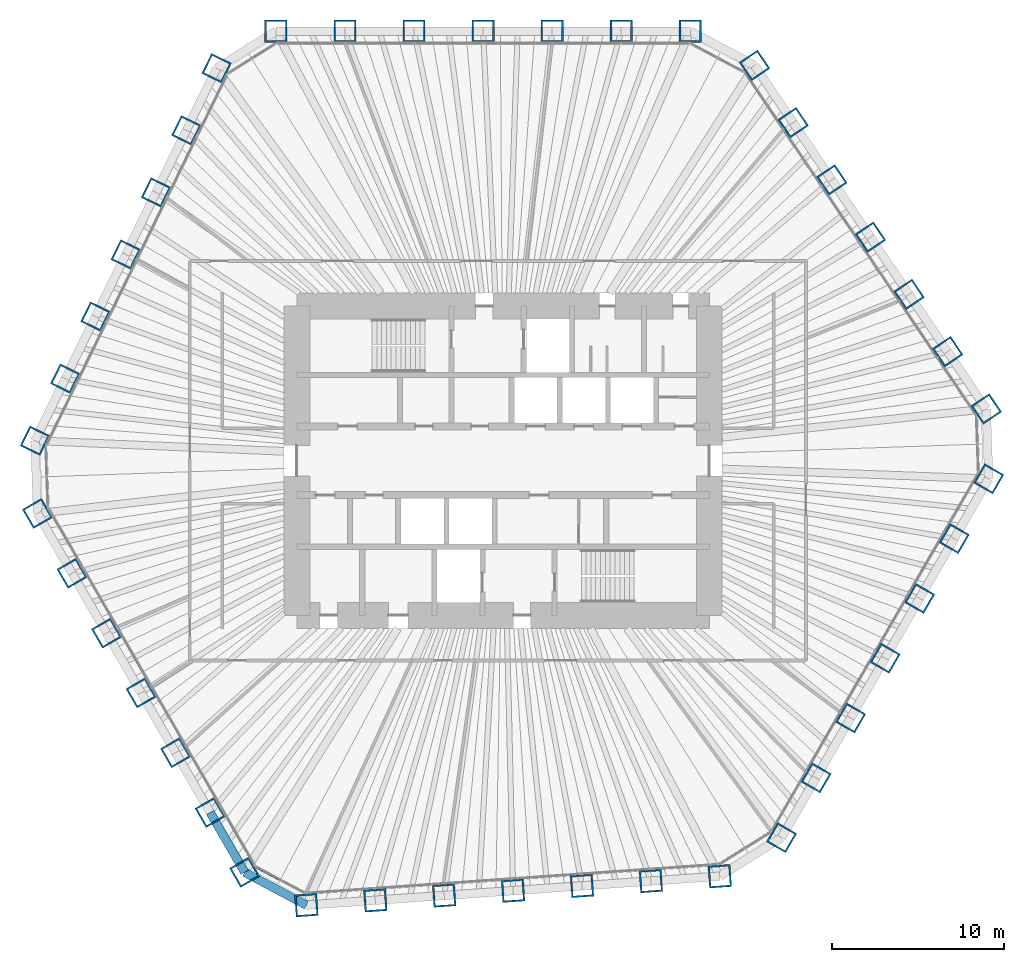
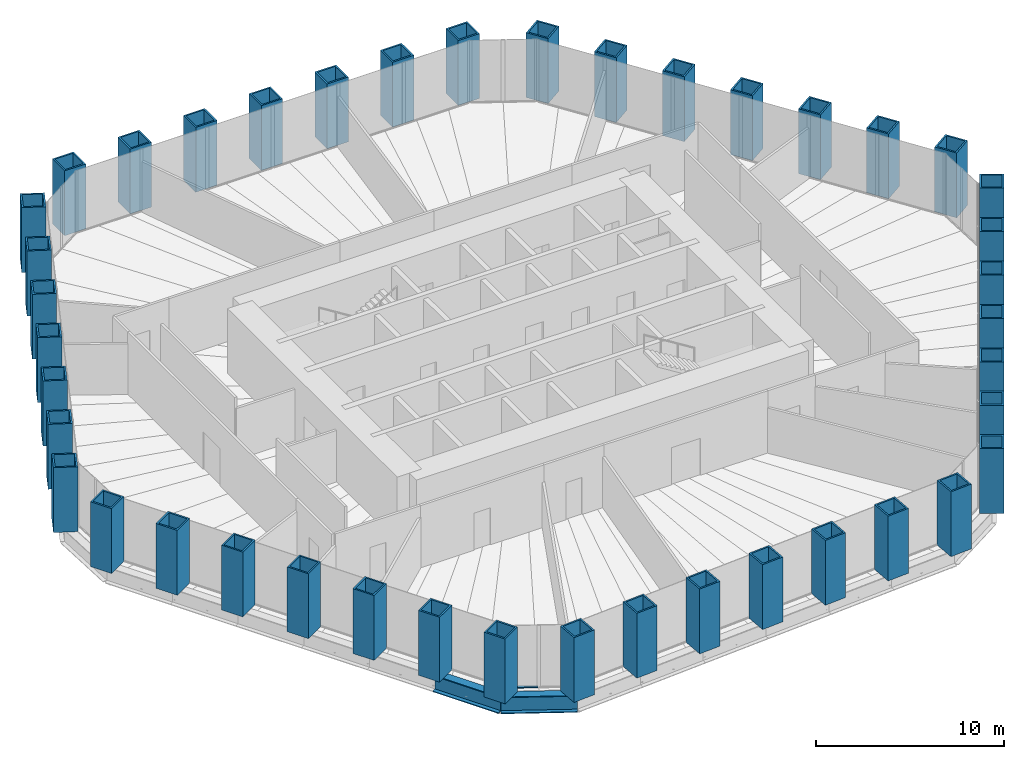
# One storey, part 1 of 13: 42 columns, 2 beams, 1 member, 1 element without a shape of its own.
"""IFC4 building model written with IfcOpenShell, lengths in metres."""

from ifc_helpers import new_model, si_unit, direction, frame, origin, origin_2d, place, context, subcontext, project, spatial, rectangle, hollow_rectangle, i_section, extrude, material, material_profile, profile_set, type_object, element, aggregate, save


model = new_model("IFC4")

# Units and contexts
model_context = context("Model", 3, precision=1e-05, world=origin(), true_north=direction((0.0, 1.0)))
body_context = subcontext(model_context, "Body", "Model", "MODEL_VIEW")
ifc_project = project(units=[si_unit("LENGTHUNIT", "METRE"), si_unit("AREAUNIT", "SQUARE_METRE"), si_unit("VOLUMEUNIT", "CUBIC_METRE"), si_unit("PLANEANGLEUNIT", "RADIAN"), si_unit("MASSUNIT", "GRAM", prefix="KILO")], contexts=[model_context])

# Site, building, storey
site_placement = place(None, origin())
site = spatial("IfcSite", under=ifc_project, at=site_placement, CompositionType="ELEMENT")
building_placement = place(site_placement, origin())
building = spatial("IfcBuilding", under=site, at=building_placement, Name="Qingtian Harvest Tower", CompositionType="ELEMENT")
storey_placement = place(building_placement, frame((0.0, 0.0, 161.800048828125)))
storey = spatial("IfcBuildingStorey", under=building, at=storey_placement, Name="L34", CompositionType="ELEMENT", Elevation=161.800048828125)

# Columns
ifc_material_1 = material(Name="Steel SM570MC", Category="steel")
ifc_material_profile_1 = material_profile(ifc_material_1, hollow_rectangle(XDim=1.300048828125, YDim=1.300048828125, WallThickness=0.10009765625, at=origin_2d()), Name="BOX1300x1300x100")
ifc_profile_set_1 = profile_set([ifc_material_profile_1], Name="Steel SM570MC")
column_type = type_object("IfcColumnType", Name="Tube column TC4 BOX1300x1300x100", PredefinedType="COLUMN", material=ifc_profile_set_1)
for number, where, z_axis, x_axis, name in (
    (1, (-13.2216796875, 25.0, 0.0), (0.0, 0.0, 1.0), (-1.0, 0.0, 0.0), "Tube column TC4 N0"),
    (2, (-9.20263671875, 25.0, 0.0), (0.0, 0.0, 1.0), (-1.0, 0.0, 0.0), "Tube column TC4 N1"),
    (3, (-5.18359375, 25.0, 0.0), (0.0, 0.0, 1.0), (-1.0, 0.0, 0.0), "Tube column TC4 N2"),
    (4, (-1.16455078125, 25.0, 0.0), (0.0, 0.0, 1.0), (-1.0, 0.0, 0.0), "Tube column TC4 N3"),
    (5, (2.8544921875, 25.0, 0.0), (0.0, 0.0, 1.0), (-1.0, 0.0, 0.0), "Tube column TC4 N4"),
    (6, (6.873779296875, 25.0, 0.0), (0.0, 0.0, 1.0), (-1.0, 0.0, 0.0), "Tube column TC4 N5"),
    (7, (10.892822265625, 25.0, 0.0), (0.0, 0.0, 1.0), (-1.0, 0.0, 0.0), "Tube column TC4 N6"),
    (8, (14.634765625, 23.01025390625, 0.0), (0.0, 0.0, 1.0), (-0.559192903471, 0.829037572555, 0.0), "Tube column TC4 NE0"),
    (9, (16.88232421875, 19.67822265625, 0.0), (0.0, 0.0, 1.0), (-0.559192903471, 0.829037572555, 0.0), "Tube column TC4 NE1"),
    (10, (19.129638671875, 16.346435546875, 0.0), (0.0, 0.0, 1.0), (-0.559192903471, 0.829037572555, 0.0), "Tube column TC4 NE2"),
    (11, (21.377197265625, 13.014404296875, 0.0), (0.0, 0.0, 1.0), (-0.559192903471, 0.829037572555, 0.0), "Tube column TC4 NE3"),
    (12, (23.62451171875, 9.682373046875, 0.0), (0.0, 0.0, 1.0), (-0.559192903471, 0.829037572555, 0.0), "Tube column TC4 NE4"),
    (13, (25.8720703125, 6.3505859375, 0.0), (0.0, 0.0, 1.0), (-0.559192903471, 0.829037572555, 0.0), "Tube column TC4 NE5"),
    (14, (28.119384765625, 3.0185546875, 0.0), (0.0, 0.0, 1.0), (-0.559192903471, 0.829037572555, 0.0), "Tube column TC4 NE6"),
    (15, (28.261474609375, -1.049560546875, 0.0), (0.0, 0.0, 1.0), (0.5, 0.866025403784, 0.0), "Tube column TC4 SE0"),
    (16, (26.251953125, -4.5302734375, 0.0), (0.0, 0.0, 1.0), (0.5, 0.866025403784, 0.0), "Tube column TC4 SE1"),
    (17, (24.242431640625, -8.010986328125, 0.0), (0.0, 0.0, 1.0), (0.5, 0.866025403784, 0.0), "Tube column TC4 SE2"),
    (18, (22.23291015625, -11.491455078125, 0.0), (0.0, 0.0, 1.0), (0.5, 0.866025403784, 0.0), "Tube column TC4 SE3"),
    (19, (20.223388671875, -14.97216796875, 0.0), (0.0, 0.0, 1.0), (0.5, 0.866025403784, 0.0), "Tube column TC4 SE4"),
    (20, (18.2138671875, -18.452880859375, 0.0), (0.0, 0.0, 1.0), (0.5, 0.866025403784, 0.0), "Tube column TC4 SE5"),
    (21, (16.204345703125, -21.933349609375, 0.0), (0.0, 0.0, 1.0), (0.5, 0.866025403784, 0.0), "Tube column TC4 SE6"),
    (22, (12.610107421875, -24.17919921875, 0.0), (0.0, 0.0, 1.0), (0.99756405026, 0.069756473744, 0.0), "Tube column TC4 S0"),
    (23, (8.600830078125, -24.459716796875, 0.0), (0.0, 0.0, 1.0), (0.99756405026, 0.069756473744, 0.0), "Tube column TC4 S1"),
    (24, (4.591552734375, -24.739990234375, 0.0), (0.0, 0.0, 1.0), (0.99756405026, 0.069756473744, 0.0), "Tube column TC4 S2"),
    (25, (0.582275390625, -25.020263671875, 0.0), (0.0, 0.0, 1.0), (0.99756405026, 0.069756473744, 0.0), "Tube column TC4 S3"),
    (26, (-3.427001953125, -25.30078125, 0.0), (0.0, 0.0, 1.0), (0.99756405026, 0.069756473744, 0.0), "Tube column TC4 S4"),
    (27, (-7.436279296875, -25.5810546875, 0.0), (0.0, 0.0, 1.0), (0.99756405026, 0.069756473744, 0.0), "Tube column TC4 S5"),
    (28, (-11.445556640625, -25.861328125, 0.0), (0.0, 0.0, 1.0), (0.99756405026, 0.069756473744, 0.0), "Tube column TC4 S6"),
    (29, (-15.039794921875, -23.950439453125, 0.0), (0.0, 0.0, 1.0), (0.5, -0.866025403784, 0.0), "Tube column TC4 SW0"),
    (30, (-17.04931640625, -20.4697265625, 0.0), (0.0, 0.0, 1.0), (0.5, -0.866025403784, 0.0), "Tube column TC4 SW1"),
    (31, (-19.058837890625, -16.989013671875, 0.0), (0.0, 0.0, 1.0), (0.5, -0.866025403784, 0.0), "Tube column TC4 SW2"),
    (32, (-21.068359375, -13.508544921875, 0.0), (0.0, 0.0, 1.0), (0.5, -0.866025403784, 0.0), "Tube column TC4 SW3"),
    (33, (-23.077880859375, -10.02783203125, 0.0), (0.0, 0.0, 1.0), (0.5, -0.866025403784, 0.0), "Tube column TC4 SW4"),
    (34, (-25.08740234375, -6.547119140625, 0.0), (0.0, 0.0, 1.0), (0.5, -0.866025403784, 0.0), "Tube column TC4 SW5"),
    (35, (-27.096923828125, -3.066650390625, 0.0), (0.0, 0.0, 1.0), (0.5, -0.866025403784, 0.0), "Tube column TC4 SW6"),
    (36, (-27.244873046875, 1.1689453125, 0.0), (0.0, 0.0, 1.0), (-0.438371146789, -0.898794046299, 0.0), "Tube column TC4 NW0"),
    (37, (-25.483154296875, 4.78125, 0.0), (0.0, 0.0, 1.0), (-0.438371146789, -0.898794046299, 0.0), "Tube column TC4 NW1"),
    (38, (-23.72119140625, 8.3935546875, 0.0), (0.0, 0.0, 1.0), (-0.438371146789, -0.898794046299, 0.0), "Tube column TC4 NW2"),
    (39, (-21.95947265625, 12.005859375, 0.0), (0.0, 0.0, 1.0), (-0.438371146789, -0.898794046299, 0.0), "Tube column TC4 NW3"),
    (40, (-20.197509765625, 15.6181640625, 0.0), (0.0, 0.0, 1.0), (-0.438371146789, -0.898794046299, 0.0), "Tube column TC4 NW4"),
    (41, (-18.435791015625, 19.23046875, 0.0), (0.0, 0.0, 1.0), (-0.438371146789, -0.898794046299, 0.0), "Tube column TC4 NW5"),
    (42, (-16.673828125, 22.8427734375, 0.0), (0.0, 0.0, 1.0), (-0.438371146789, -0.898794046299, 0.0), "Tube column TC4 NW6"),
):
    element("IfcColumn", number, at=place(storey_placement, frame(where, z_axis=z_axis, x_axis=x_axis)), inside=storey, type_object=column_type, Name=name, PredefinedType="COLUMN", context=body_context, shape_type="SweptSolid", body=[
        extrude(hollow_rectangle(XDim=1.300048828125, YDim=1.300048828125, WallThickness=0.10009765625, at=origin_2d()), origin(), (0.0, 0.0, 1.0), 4.199951171875),
    ])

# Beams
ifc_material_2 = material(Name="Steel SM570MC", Category="steel")
ifc_material_profile_2 = material_profile(ifc_material_2, i_section(OverallWidth=0.5, OverallDepth=1.10009765625, WebThickness=0.02490234375, FlangeThickness=0.050048828125, at=origin_2d()), Name="H1100x500x25x50")
ifc_profile_set_2 = profile_set([ifc_material_profile_2], Name="Steel SM570MC")
beam_type = type_object("IfcBeamType", Name="Spandrel beam SB2 H1100x500x25x50", PredefinedType="SPANDREL", material=ifc_profile_set_2)
beam_1_placement = place(storey_placement, frame((-11.445556640625, -25.861328125, -0.550048828125), z_axis=(-0.882968133669, 0.469432929101, 0.0), x_axis=(-0.469432929101, -0.882968133669, 0.0)))
element("IfcBeam", 43, at=beam_1_placement, inside=storey, type_object=beam_type, Name="Spandrel SB2 SC", PredefinedType="SPANDREL", context=body_context, shape_type="SweptSolid", body=[
    extrude(i_section(OverallWidth=0.5, OverallDepth=1.10009765625, WebThickness=0.02490234375, FlangeThickness=0.050048828125, at=origin_2d()), origin(), (0.0, 0.0, 1.0), 4.070556640625),
])
beam_2_placement = place(storey_placement, frame((-15.039794921875, -23.950439453125, -0.550048828125), z_axis=(-0.499987116613, 0.866032841884, 0.0), x_axis=(-0.866032841884, -0.499987116613, 0.0)))
element("IfcBeam", 44, at=beam_2_placement, inside=storey, type_object=beam_type, Name="Spandrel SB2 SW0", PredefinedType="SPANDREL", context=body_context, shape_type="SweptSolid", body=[
    extrude(i_section(OverallWidth=0.5, OverallDepth=1.10009765625, WebThickness=0.02490234375, FlangeThickness=0.050048828125, at=origin_2d()), origin(), (0.0, 0.0, 1.0), 4.01904296875),
])

# Curtain wall, member
ifc_material_3 = material(Name="Bronze-anodised aluminium curtain wall", Category="aluminium")
curtain_wall_type = type_object("IfcCurtainWallType", Name="Curtain wall CW4 office", PredefinedType="USERDEFINED", material=ifc_material_3)
curtain_wall_placement = place(storey_placement, origin())
curtain_wall = element("IfcCurtainWall", 45, at=curtain_wall_placement, inside=storey, type_object=curtain_wall_type, Name="Curtain wall CW4 L34 SC", ObjectType="RECESSED CURTAIN WALL", PredefinedType="USERDEFINED")
ifc_material_4 = material(Name="Bronze-anodised aluminium transom", Category="aluminium")
ifc_material_profile_3 = material_profile(ifc_material_4, rectangle(XDim=0.14990234375, YDim=0.06494140625, at=origin_2d()), Name="AL 65x150")
ifc_profile_set_3 = profile_set([ifc_material_profile_3], Name="Bronze-anodised aluminium transom")
member_type = type_object("IfcMemberType", Name="Transom CWT 65x150", PredefinedType="USERDEFINED", material=ifc_profile_set_3)
member_placement = place(storey_placement, frame((-12.99267578125, -24.366455078125, 0.032470703125), z_axis=(-0.882960338349, 0.46944759122, 0.0), x_axis=(-0.46944759122, -0.882960338349, 0.0)))
member = element("IfcMember", 46, at=member_placement, type_object=member_type, Name="CW4 transom 2.1", ObjectType="TRANSOM", PredefinedType="USERDEFINED", context=body_context, shape_type="SweptSolid", body=[
    extrude(rectangle(XDim=0.14990234375, YDim=0.06494140625, at=origin_2d()), origin(), (0.0, 0.0, 1.0), 1.56689453125),
])
aggregate(curtain_wall, [member])

save(model, "model.ifc")
